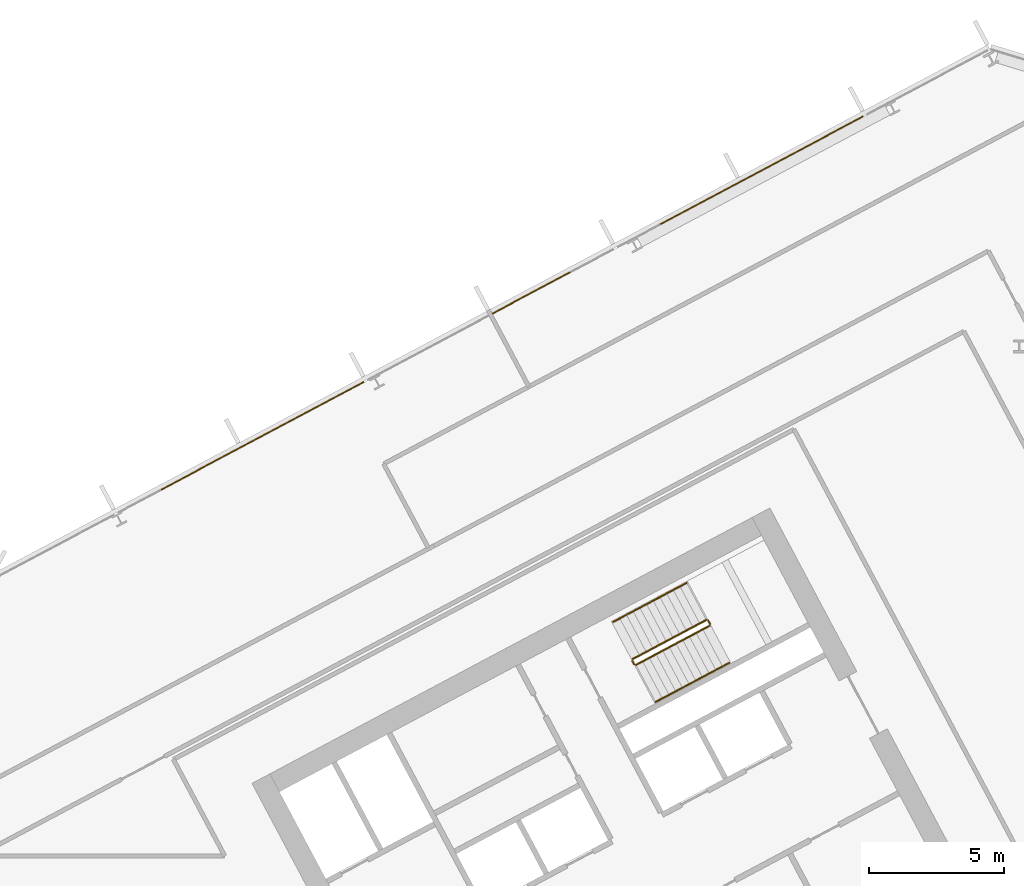
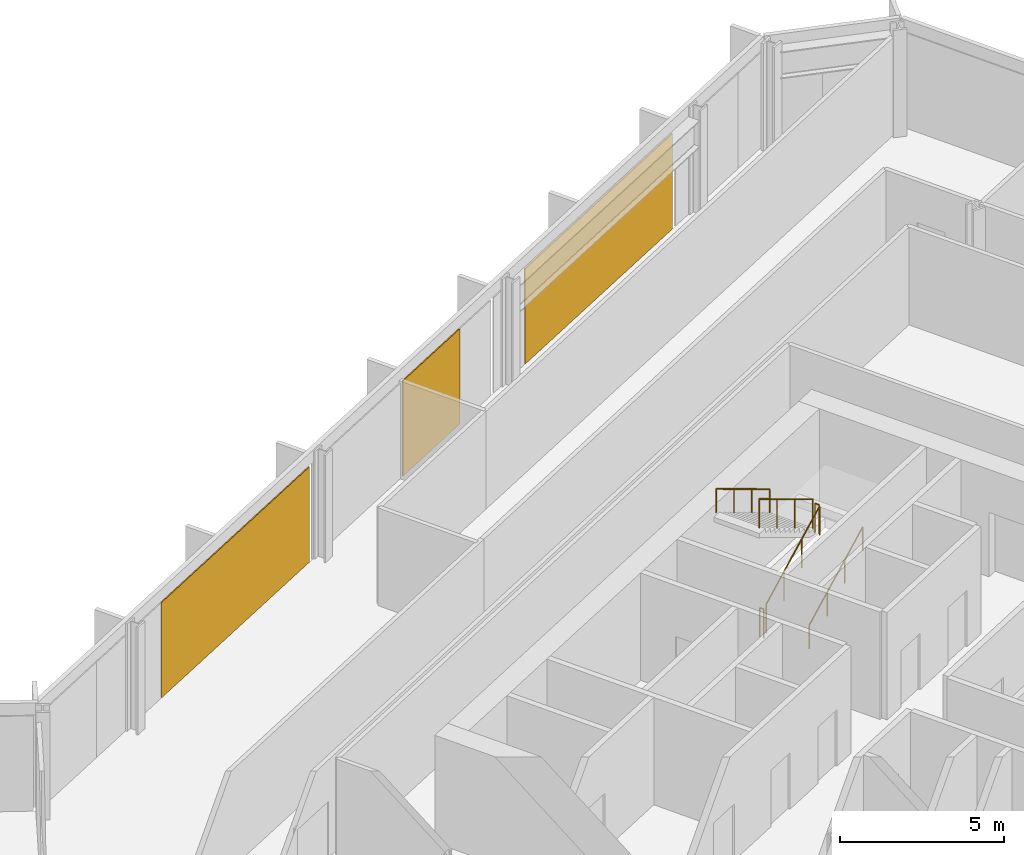
# One storey, part 27 of 28: 6 railings, 3 coverings, 1 element without a shape of its own.
"""IFC4 building model written with IfcOpenShell, lengths in metres."""

from ifc_helpers import new_model, si_unit, direction, frame, origin, origin_2d, place, context, subcontext, project, spatial, polyline, rectangle, outline, extrude, material, layer, layer_set, type_object, element, aggregate, save


model = new_model("IFC4")

# Units and contexts
model_context = context("Model", 3, precision=1e-05, world=origin(), true_north=direction((0.0, 1.0)))
body_context = subcontext(model_context, "Body", "Model", "MODEL_VIEW")
ifc_project = project(units=[si_unit("LENGTHUNIT", "METRE"), si_unit("AREAUNIT", "SQUARE_METRE"), si_unit("VOLUMEUNIT", "CUBIC_METRE"), si_unit("PLANEANGLEUNIT", "RADIAN"), si_unit("MASSUNIT", "GRAM", prefix="KILO")], contexts=[model_context])

# Site, building, storey
site_placement = place(None, origin())
site = spatial("IfcSite", under=ifc_project, at=site_placement, CompositionType="ELEMENT")
building_placement = place(site_placement, origin())
building = spatial("IfcBuilding", under=site, at=building_placement, Name="Cormorant Relay Tower", CompositionType="ELEMENT")
storey_placement = place(building_placement, frame((0.0, 0.0, 154.199951171875)))
storey = spatial("IfcBuildingStorey", under=building, at=storey_placement, Name="L32", CompositionType="ELEMENT", Elevation=154.199951171875)

# Curtain wall, coverings
ifc_material_1 = material(Name="Aluminium 6063-T6 anodised bronze", Category="aluminium")
ifc_layer_1 = layer(ifc_material_1, 0.199951171875)
ifc_layer_set_1 = layer_set([ifc_layer_1], Name="CW1 unitised bronze curtain wall with vertical fins")
curtain_wall_type = type_object("IfcCurtainWallType", Name="CW1 unitised bronze curtain wall with vertical fins", PredefinedType="NOTDEFINED", material=ifc_layer_set_1)
curtain_wall_placement = place(storey_placement, origin())
curtain_wall = element("IfcCurtainWall", 1, at=curtain_wall_placement, inside=storey, type_object=curtain_wall_type, Name="CW1 curtain wall 8", PredefinedType="NOTDEFINED")
ifc_material_2 = material(Name="Pale bronze anodised aluminium insulated panel", Category="aluminium")
ifc_layer_2 = layer(ifc_material_2, 0.0400390625)
ifc_layer_set_2 = layer_set([ifc_layer_2], Name="CW1 pale bronze insulated panel 40")
covering_type = type_object("IfcCoveringType", Name="CW1 pale bronze insulated panel 40", PredefinedType="CLADDING", material=ifc_layer_set_2)
covering_1_placement = place(storey_placement, frame((28.48828125, 38.9541015625, 0.0), z_axis=(0.0, 0.0, 1.0), x_axis=(-0.882947592859, -0.469471562786, 0.0)))
covering_1 = element("IfcCovering", 2, at=covering_1_placement, type_object=covering_type, Name="CW1 panel S02", PredefinedType="CLADDING", context=body_context, shape_type="SweptSolid", body=[
    extrude(rectangle(XDim=8.508544921875, YDim=0.0400390625, at=origin_2d()), origin(), (0.0, 0.0, 1.0), 3.550048828125),
])
covering_2_placement = place(storey_placement, frame((19.97314453125, 34.426513671875, 0.0), z_axis=(0.0, 0.0, 1.0), x_axis=(-0.882947592859, -0.469471562786, 0.0)))
covering_2 = element("IfcCovering", 3, at=covering_2_placement, type_object=covering_type, Name="CW1 panel S05", PredefinedType="CLADDING", context=body_context, shape_type="SweptSolid", body=[
    extrude(rectangle(XDim=3.279296875, YDim=0.0400390625, at=origin_2d()), origin(), (0.0, 0.0, 1.0), 3.550048828125),
])
covering_3_placement = place(storey_placement, frame((10.01953125, 29.134033203125, 0.0), z_axis=(0.0, 0.0, 1.0), x_axis=(-0.882947592859, -0.469471562786, 0.0)))
covering_3 = element("IfcCovering", 4, at=covering_3_placement, type_object=covering_type, Name="CW1 panel S07", PredefinedType="CLADDING", context=body_context, shape_type="SweptSolid", body=[
    extrude(rectangle(XDim=8.508544921875, YDim=0.0400390625, at=origin_2d()), origin(), (0.0, 0.0, 1.0), 3.550048828125),
])
aggregate(curtain_wall, [covering_1, covering_2, covering_3])

# Railings
ifc_material_3 = material(Name="Steel ASTM A572 Grade 50 (Fy 345 MPa)", Category="steel")
railing_type_1 = type_object("IfcRailingType", Name="Stair guard 1100", PredefinedType="GUARDRAIL", material=ifc_material_3)
railing_1_placement = place(storey_placement, frame((23.8408203125, 20.6611328125, 0.166748046875)))
element("IfcRailing", 5, at=railing_1_placement, inside=storey, type_object=railing_type_1, Name="L32 B2 stair guard 1", PredefinedType="GUARDRAIL", context=body_context, shape_type="SweptSolid", body=[
    extrude(outline(polyline([(0.022216796875, 0.00927734375), (0.00927734375, 0.022216796875), (-0.00927734375, 0.022216796875), (-0.022216796875, 0.00927734375), (-0.022216796875, -0.00927734375), (-0.00927734375, -0.022216796875), (0.00927734375, -0.022216796875), (0.022216796875, -0.00927734375), (0.022216796875, 0.00927734375)])), frame((0.0, 0.0, 1.076171875), z_axis=(0.758734504837, 0.403377838015, 0.511476559549), x_axis=(-0.469427602063, 0.882970965786, 0.0)), (0.0, 0.0, 1.0), 3.584228515625),
    extrude(outline(polyline([(0.019287109375, 0.008056640625), (0.008056640625, 0.019287109375), (-0.008056640625, 0.019287109375), (-0.019287109375, 0.008056640625), (-0.019287109375, -0.008056640625), (-0.008056640625, -0.019287109375), (0.008056640625, -0.019287109375), (0.019287109375, -0.008056640625), (0.019287109375, 0.008056640625)])), origin(), (0.0, 0.0, 1.0), 1.052001953125),
    extrude(outline(polyline([(0.019287109375, 0.008056640625), (0.008056640625, 0.019287109375), (-0.008056640625, 0.019287109375), (-0.019287109375, 0.008056640625), (-0.019287109375, -0.008056640625), (-0.008056640625, -0.019287109375), (0.008056640625, -0.019287109375), (0.019287109375, -0.008056640625), (0.019287109375, 0.008056640625)])), frame((0.906494140625, 0.48193359375, 0.611083984375)), (0.0, 0.0, 1.0), 1.052001953125),
    extrude(outline(polyline([(0.019287109375, 0.008056640625), (0.008056640625, 0.019287109375), (-0.008056640625, 0.019287109375), (-0.019287109375, 0.008056640625), (-0.019287109375, -0.008056640625), (-0.008056640625, -0.019287109375), (0.008056640625, -0.019287109375), (0.019287109375, -0.008056640625), (0.019287109375, 0.008056640625)])), frame((1.81298828125, 0.9638671875, 1.22216796875)), (0.0, 0.0, 1.0), 1.052001953125),
    extrude(outline(polyline([(0.019287109375, 0.008056640625), (0.008056640625, 0.019287109375), (-0.008056640625, 0.019287109375), (-0.019287109375, 0.008056640625), (-0.019287109375, -0.008056640625), (-0.008056640625, -0.019287109375), (0.008056640625, -0.019287109375), (0.019287109375, -0.008056640625), (0.019287109375, 0.008056640625)])), frame((2.719482421875, 1.44580078125, 1.833251953125)), (0.0, 0.0, 1.0), 1.052001953125),
])
railing_2_placement = place(storey_placement, frame((26.5810546875, 22.174560546875, 2.0)))
element("IfcRailing", 6, at=railing_2_placement, inside=storey, type_object=railing_type_1, Name="L32 B2 stair guard 2", PredefinedType="GUARDRAIL", context=body_context, shape_type="SweptSolid", body=[
    extrude(outline(polyline([(0.022216796875, 0.00927734375), (0.00927734375, 0.022216796875), (-0.00927734375, 0.022216796875), (-0.022216796875, 0.00927734375), (-0.022216796875, -0.00927734375), (-0.00927734375, -0.022216796875), (0.00927734375, -0.022216796875), (0.022216796875, -0.00927734375), (0.022216796875, 0.00927734375)])), frame((0.0, 0.0, 1.076171875), z_axis=(-0.469828648786, 0.882757634224, 0.0), x_axis=(-0.882757634224, -0.469828648786, 0.0)), (0.0, 0.0, 1.0), 0.150146484375),
    extrude(outline(polyline([(0.019287109375, 0.008056640625), (0.008056640625, 0.019287109375), (-0.008056640625, 0.019287109375), (-0.019287109375, 0.008056640625), (-0.019287109375, -0.008056640625), (-0.008056640625, -0.019287109375), (0.008056640625, -0.019287109375), (0.019287109375, -0.008056640625), (0.019287109375, 0.008056640625)])), origin(), (0.0, 0.0, 1.0), 1.052001953125),
    extrude(outline(polyline([(0.019287109375, 0.008056640625), (0.008056640625, 0.019287109375), (-0.008056640625, 0.019287109375), (-0.019287109375, 0.008056640625), (-0.019287109375, -0.008056640625), (-0.008056640625, -0.019287109375), (0.008056640625, -0.019287109375), (0.019287109375, -0.008056640625), (0.019287109375, 0.008056640625)])), frame((-0.070556640625, 0.132568359375, 0.0)), (0.0, 0.0, 1.0), 1.052001953125),
])
railing_3_placement = place(storey_placement, frame((26.44287109375, 22.32763671875, 2.166748046875)))
element("IfcRailing", 7, at=railing_3_placement, inside=storey, type_object=railing_type_1, Name="L32 B2 stair guard 3", PredefinedType="GUARDRAIL", context=body_context, shape_type="SweptSolid", body=[
    extrude(outline(polyline([(0.022216796875, 0.00927734375), (0.00927734375, 0.022216796875), (-0.00927734375, 0.022216796875), (-0.022216796875, 0.00927734375), (-0.022216796875, -0.00927734375), (-0.00927734375, -0.022216796875), (0.00927734375, -0.022216796875), (0.022216796875, -0.00927734375), (0.022216796875, 0.00927734375)])), frame((0.0, 0.0, 1.076171875), z_axis=(-0.758734504837, -0.403377838015, 0.511476559549), x_axis=(0.469427602063, -0.882970965786, 0.0)), (0.0, 0.0, 1.0), 3.584228515625),
    extrude(outline(polyline([(0.019287109375, 0.008056640625), (0.008056640625, 0.019287109375), (-0.008056640625, 0.019287109375), (-0.019287109375, 0.008056640625), (-0.019287109375, -0.008056640625), (-0.008056640625, -0.019287109375), (0.008056640625, -0.019287109375), (0.019287109375, -0.008056640625), (0.019287109375, 0.008056640625)])), origin(), (0.0, 0.0, 1.0), 1.052001953125),
    extrude(outline(polyline([(0.019287109375, 0.008056640625), (0.008056640625, 0.019287109375), (-0.008056640625, 0.019287109375), (-0.019287109375, 0.008056640625), (-0.019287109375, -0.008056640625), (-0.008056640625, -0.019287109375), (0.008056640625, -0.019287109375), (0.019287109375, -0.008056640625), (0.019287109375, 0.008056640625)])), frame((-0.906494140625, -0.48193359375, 0.611083984375)), (0.0, 0.0, 1.0), 1.052001953125),
    extrude(outline(polyline([(0.019287109375, 0.008056640625), (0.008056640625, 0.019287109375), (-0.008056640625, 0.019287109375), (-0.019287109375, 0.008056640625), (-0.019287109375, -0.008056640625), (-0.008056640625, -0.019287109375), (0.008056640625, -0.019287109375), (0.019287109375, -0.008056640625), (0.019287109375, 0.008056640625)])), frame((-1.81298828125, -0.9638671875, 1.22216796875)), (0.0, 0.0, 1.0), 1.052001953125),
    extrude(outline(polyline([(0.019287109375, 0.008056640625), (0.008056640625, 0.019287109375), (-0.008056640625, 0.019287109375), (-0.019287109375, 0.008056640625), (-0.019287109375, -0.008056640625), (-0.008056640625, -0.019287109375), (0.008056640625, -0.019287109375), (0.019287109375, -0.008056640625), (0.019287109375, 0.008056640625)])), frame((-2.719482421875, -1.44580078125, 1.833251953125)), (0.0, 0.0, 1.0), 1.052001953125),
])
railing_4_placement = place(storey_placement, frame((23.773193359375, 20.681640625, 0.0)))
element("IfcRailing", 8, at=railing_4_placement, inside=storey, type_object=railing_type_1, Name="L32 B2 stair guard 4", PredefinedType="GUARDRAIL", context=body_context, shape_type="SweptSolid", body=[
    extrude(outline(polyline([(0.022216796875, 0.00927734375), (0.00927734375, 0.022216796875), (-0.00927734375, 0.022216796875), (-0.022216796875, 0.00927734375), (-0.022216796875, -0.00927734375), (-0.00927734375, -0.022216796875), (0.00927734375, -0.022216796875), (0.022216796875, -0.00927734375), (0.022216796875, 0.00927734375)])), frame((0.0, 0.0, 1.076171875), z_axis=(-0.46856034887, 0.8834314911, 0.0), x_axis=(-0.8834314911, -0.46856034887, 0.0)), (0.0, 0.0, 1.0), 0.150146484375),
    extrude(outline(polyline([(0.019287109375, 0.008056640625), (0.008056640625, 0.019287109375), (-0.008056640625, 0.019287109375), (-0.019287109375, 0.008056640625), (-0.019287109375, -0.008056640625), (-0.008056640625, -0.019287109375), (0.008056640625, -0.019287109375), (0.019287109375, -0.008056640625), (0.019287109375, 0.008056640625)])), origin(), (0.0, 0.0, 1.0), 1.052001953125),
    extrude(outline(polyline([(0.019287109375, 0.008056640625), (0.008056640625, 0.019287109375), (-0.008056640625, 0.019287109375), (-0.019287109375, 0.008056640625), (-0.019287109375, -0.008056640625), (-0.008056640625, -0.019287109375), (0.008056640625, -0.019287109375), (0.019287109375, -0.008056640625), (0.019287109375, 0.008056640625)])), frame((-0.0703125, 0.132568359375, 0.0)), (0.0, 0.0, 1.0), 1.052001953125),
])
ifc_material_4 = material(Name="Steel ASTM A572 Grade 50 (Fy 345 MPa)", Category="steel")
railing_type_2 = type_object("IfcRailingType", Name="Stair handrail 900", PredefinedType="HANDRAIL", material=ifc_material_4)
railing_5_placement = place(storey_placement, frame((24.568603515625, 19.29248046875, 0.166748046875)))
element("IfcRailing", 9, at=railing_5_placement, inside=storey, type_object=railing_type_2, Name="L32 B2 stair handrail 1", PredefinedType="HANDRAIL", context=body_context, shape_type="SweptSolid", body=[
    extrude(outline(polyline([(0.022216796875, 0.00927734375), (0.00927734375, 0.022216796875), (-0.00927734375, 0.022216796875), (-0.022216796875, 0.00927734375), (-0.022216796875, -0.00927734375), (-0.00927734375, -0.022216796875), (0.00927734375, -0.022216796875), (0.022216796875, -0.00927734375), (0.022216796875, 0.00927734375)])), frame((0.0, 0.0, 0.8759765625), z_axis=(0.758713656843, 0.403434867536, 0.511462505542), x_axis=(-0.469489399267, 0.882938108802, 0.0)), (0.0, 0.0, 1.0), 3.584228515625),
    extrude(outline(polyline([(0.019287109375, 0.008056640625), (0.008056640625, 0.019287109375), (-0.008056640625, 0.019287109375), (-0.019287109375, 0.008056640625), (-0.019287109375, -0.008056640625), (-0.008056640625, -0.019287109375), (0.008056640625, -0.019287109375), (0.019287109375, -0.008056640625), (0.019287109375, 0.008056640625)])), origin(), (0.0, 0.0, 1.0), 0.851806640625),
    extrude(outline(polyline([(0.019287109375, 0.008056640625), (0.008056640625, 0.019287109375), (-0.008056640625, 0.019287109375), (-0.019287109375, 0.008056640625), (-0.019287109375, -0.008056640625), (-0.008056640625, -0.019287109375), (0.008056640625, -0.019287109375), (0.019287109375, -0.008056640625), (0.019287109375, 0.008056640625)])), frame((0.906494140625, 0.48193359375, 0.611083984375)), (0.0, 0.0, 1.0), 0.851806640625),
    extrude(outline(polyline([(0.019287109375, 0.008056640625), (0.008056640625, 0.019287109375), (-0.008056640625, 0.019287109375), (-0.019287109375, 0.008056640625), (-0.019287109375, -0.008056640625), (-0.008056640625, -0.019287109375), (0.008056640625, -0.019287109375), (0.019287109375, -0.008056640625), (0.019287109375, 0.008056640625)])), frame((1.81298828125, 0.964111328125, 1.22216796875)), (0.0, 0.0, 1.0), 0.851806640625),
    extrude(outline(polyline([(0.019287109375, 0.008056640625), (0.008056640625, 0.019287109375), (-0.008056640625, 0.019287109375), (-0.019287109375, 0.008056640625), (-0.019287109375, -0.008056640625), (-0.008056640625, -0.019287109375), (0.008056640625, -0.019287109375), (0.019287109375, -0.008056640625), (0.019287109375, 0.008056640625)])), frame((2.719482421875, 1.446044921875, 1.833251953125)), (0.0, 0.0, 1.0), 0.851806640625),
])
railing_6_placement = place(storey_placement, frame((25.71533203125, 23.6962890625, 2.166748046875)))
element("IfcRailing", 10, at=railing_6_placement, inside=storey, type_object=railing_type_2, Name="L32 B2 stair handrail 2", PredefinedType="HANDRAIL", context=body_context, shape_type="SweptSolid", body=[
    extrude(outline(polyline([(0.022216796875, 0.00927734375), (0.00927734375, 0.022216796875), (-0.00927734375, 0.022216796875), (-0.022216796875, 0.00927734375), (-0.022216796875, -0.00927734375), (-0.00927734375, -0.022216796875), (0.00927734375, -0.022216796875), (0.022216796875, -0.00927734375), (0.022216796875, 0.00927734375)])), frame((0.0, 0.0, 0.8759765625), z_axis=(-0.758713656843, -0.403434867536, 0.511462505542), x_axis=(0.469489399267, -0.882938108802, 0.0)), (0.0, 0.0, 1.0), 3.584228515625),
    extrude(outline(polyline([(0.019287109375, 0.008056640625), (0.008056640625, 0.019287109375), (-0.008056640625, 0.019287109375), (-0.019287109375, 0.008056640625), (-0.019287109375, -0.008056640625), (-0.008056640625, -0.019287109375), (0.008056640625, -0.019287109375), (0.019287109375, -0.008056640625), (0.019287109375, 0.008056640625)])), origin(), (0.0, 0.0, 1.0), 0.851806640625),
    extrude(outline(polyline([(0.019287109375, 0.008056640625), (0.008056640625, 0.019287109375), (-0.008056640625, 0.019287109375), (-0.019287109375, 0.008056640625), (-0.019287109375, -0.008056640625), (-0.008056640625, -0.019287109375), (0.008056640625, -0.019287109375), (0.019287109375, -0.008056640625), (0.019287109375, 0.008056640625)])), frame((-0.906494140625, -0.48193359375, 0.611083984375)), (0.0, 0.0, 1.0), 0.851806640625),
    extrude(outline(polyline([(0.019287109375, 0.008056640625), (0.008056640625, 0.019287109375), (-0.008056640625, 0.019287109375), (-0.019287109375, 0.008056640625), (-0.019287109375, -0.008056640625), (-0.008056640625, -0.019287109375), (0.008056640625, -0.019287109375), (0.019287109375, -0.008056640625), (0.019287109375, 0.008056640625)])), frame((-1.81298828125, -0.964111328125, 1.22216796875)), (0.0, 0.0, 1.0), 0.851806640625),
    extrude(outline(polyline([(0.019287109375, 0.008056640625), (0.008056640625, 0.019287109375), (-0.008056640625, 0.019287109375), (-0.019287109375, 0.008056640625), (-0.019287109375, -0.008056640625), (-0.008056640625, -0.019287109375), (0.008056640625, -0.019287109375), (0.019287109375, -0.008056640625), (0.019287109375, 0.008056640625)])), frame((-2.719482421875, -1.446044921875, 1.833251953125)), (0.0, 0.0, 1.0), 0.851806640625),
])

save(model, "model.ifc")
